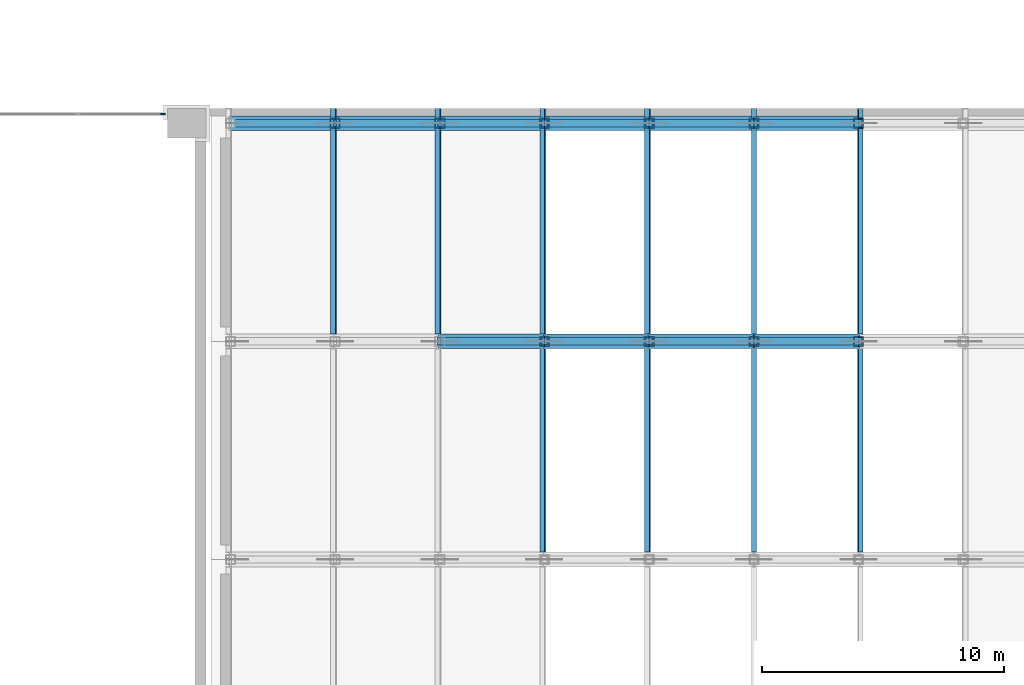
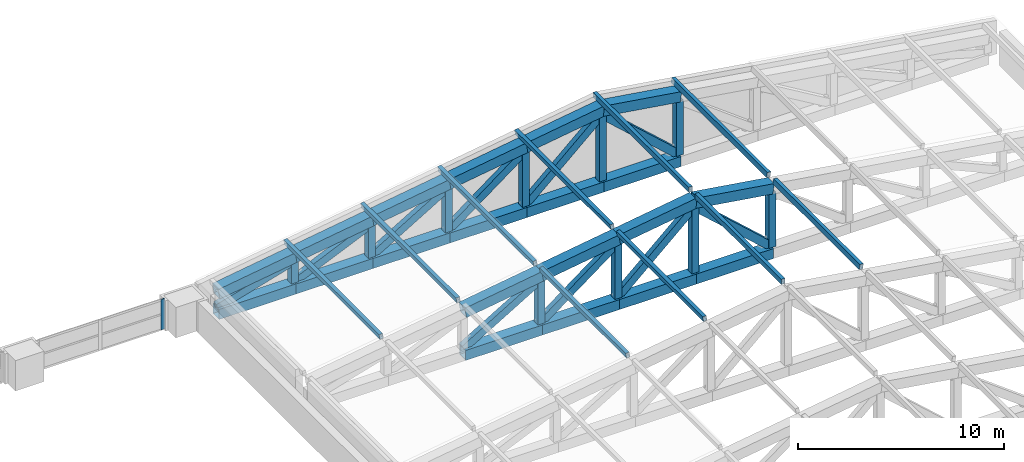
# One storey, part 12 of 32: 51 members, 1 element without a shape of its own.
"""IFC4 building model written with IfcOpenShell, lengths in metres."""

from ifc_helpers import new_model, si_unit, direction, frame, origin, origin_2d, place, context, subcontext, project, spatial, rectangle, hollow_rectangle, extrude, material, material_profile, profile_set, type_object, element, aggregate, save


model = new_model("IFC4")

# Units and contexts
model_context = context("Model", 3, precision=1e-05, world=origin(), true_north=direction((0.0, 1.0)))
body_context = subcontext(model_context, "Body", "Model", "MODEL_VIEW")
ifc_project = project(units=[si_unit("LENGTHUNIT", "METRE"), si_unit("AREAUNIT", "SQUARE_METRE"), si_unit("VOLUMEUNIT", "CUBIC_METRE"), si_unit("PLANEANGLEUNIT", "RADIAN"), si_unit("MASSUNIT", "GRAM", prefix="KILO")], contexts=[model_context])

# Site, building, storey
site_placement = place(None, origin())
site = spatial("IfcSite", under=ifc_project, at=site_placement, CompositionType="ELEMENT")
building_placement = place(site_placement, origin())
building = spatial("IfcBuilding", under=site, at=building_placement, Name="Aravalli Gate Trade Fair Centre", CompositionType="ELEMENT")
storey_placement = place(building_placement, frame((0.0, 0.0, 23.39990234375)))
storey = spatial("IfcBuildingStorey", under=building, at=storey_placement, Name="ROOF LEVEL 1", CompositionType="ELEMENT", Elevation=23.39990234375)

# Members
ifc_material_1 = material(Name="Steel E350", Category="steel")
ifc_material_profile_1 = material_profile(ifc_material_1, hollow_rectangle(XDim=0.199951171875, YDim=0.300048828125, WallThickness=0.011962890625, at=origin_2d()), Name="RHS 300x200x12")
ifc_profile_set_1 = profile_set([ifc_material_profile_1], Name="Steel E350")
member_type_1 = type_object("IfcMemberType", Name="Congress roof purlin RHS 300x200x12", PredefinedType="PURLIN", material=ifc_profile_set_1)
for number, where, z_axis, x_axis, name in (
    (1, (111.052001953125, 100.300048828125, 2.60498046875), (0.0, 1.0, 0.0), (-0.988529762953, 0.0, -0.151026182356), "Roof purlin line 2 bay 5"),
    (2, (115.3720703125, 100.300048828125, 3.264892578125), (0.0, 1.0, 0.0), (-0.988529762953, 0.0, -0.151026182356), "Roof purlin line 3 bay 5"),
):
    element("IfcMember", number, at=place(storey_placement, frame(where, z_axis=z_axis, x_axis=x_axis)), inside=storey, type_object=member_type_1, Name=name, PredefinedType="PURLIN", context=body_context, shape_type="SweptSolid", body=[
        extrude(hollow_rectangle(XDim=0.199951171875, YDim=0.300048828125, WallThickness=0.011962890625, at=origin_2d()), origin(), (0.0, 0.0, 1.0), 9.300048828125),
    ])
member_1_placement = place(storey_placement, frame((119.69189453125, 91.300048828125, 3.9248046875), z_axis=(0.0, 1.0, 0.0), x_axis=(-0.988529762953, 0.0, -0.151026182356)))
element("IfcMember", 3, at=member_1_placement, inside=storey, type_object=member_type_1, Name="Roof purlin line 4 bay 4", PredefinedType="PURLIN", context=body_context, shape_type="SweptSolid", body=[
    extrude(hollow_rectangle(XDim=0.199951171875, YDim=0.300048828125, WallThickness=0.011962890625, at=origin_2d()), origin(), (0.0, 0.0, 1.0), 8.39990234375),
])
member_2_placement = place(storey_placement, frame((119.69189453125, 100.300048828125, 3.9248046875), z_axis=(0.0, 1.0, 0.0), x_axis=(-0.988529762953, 0.0, -0.151026182356)))
element("IfcMember", 4, at=member_2_placement, inside=storey, type_object=member_type_1, Name="Roof purlin line 4 bay 5", PredefinedType="PURLIN", context=body_context, shape_type="SweptSolid", body=[
    extrude(hollow_rectangle(XDim=0.199951171875, YDim=0.300048828125, WallThickness=0.011962890625, at=origin_2d()), origin(), (0.0, 0.0, 1.0), 9.300048828125),
])
member_3_placement = place(storey_placement, frame((124.011962890625, 91.300048828125, 4.5849609375), z_axis=(0.0, 1.0, 0.0), x_axis=(-0.988529762953, 0.0, -0.151026182356)))
element("IfcMember", 5, at=member_3_placement, inside=storey, type_object=member_type_1, Name="Roof purlin line 5 bay 4", PredefinedType="PURLIN", context=body_context, shape_type="SweptSolid", body=[
    extrude(hollow_rectangle(XDim=0.199951171875, YDim=0.300048828125, WallThickness=0.011962890625, at=origin_2d()), origin(), (0.0, 0.0, 1.0), 8.39990234375),
])
member_4_placement = place(storey_placement, frame((124.011962890625, 100.300048828125, 4.5849609375), z_axis=(0.0, 1.0, 0.0), x_axis=(-0.988529762953, 0.0, -0.151026182356)))
element("IfcMember", 6, at=member_4_placement, inside=storey, type_object=member_type_1, Name="Roof purlin line 5 bay 5", PredefinedType="PURLIN", context=body_context, shape_type="SweptSolid", body=[
    extrude(hollow_rectangle(XDim=0.199951171875, YDim=0.300048828125, WallThickness=0.011962890625, at=origin_2d()), origin(), (0.0, 0.0, 1.0), 9.300048828125),
])
member_5_placement = place(storey_placement, frame((128.39990234375, 91.300048828125, 5.25634765625), z_axis=(0.0, 1.0, 0.0), x_axis=(-1.0, 0.0, 0.0)))
element("IfcMember", 7, at=member_5_placement, inside=storey, type_object=member_type_1, Name="Roof purlin line 6 bay 4", PredefinedType="PURLIN", context=body_context, shape_type="SweptSolid", body=[
    extrude(hollow_rectangle(XDim=0.199951171875, YDim=0.300048828125, WallThickness=0.011962890625, at=origin_2d()), origin(), (0.0, 0.0, 1.0), 8.39990234375),
])
member_6_placement = place(storey_placement, frame((128.39990234375, 100.300048828125, 5.25634765625), z_axis=(0.0, 1.0, 0.0), x_axis=(-1.0, 0.0, 0.0)))
element("IfcMember", 8, at=member_6_placement, inside=storey, type_object=member_type_1, Name="Roof purlin line 6 bay 5", PredefinedType="PURLIN", context=body_context, shape_type="SweptSolid", body=[
    extrude(hollow_rectangle(XDim=0.199951171875, YDim=0.300048828125, WallThickness=0.011962890625, at=origin_2d()), origin(), (0.0, 0.0, 1.0), 9.300048828125),
])
member_7_placement = place(storey_placement, frame((132.7880859375, 91.300048828125, 4.5849609375), z_axis=(0.0, 1.0, 0.0), x_axis=(-0.988529762953, 0.0, 0.151026182356)))
element("IfcMember", 9, at=member_7_placement, inside=storey, type_object=member_type_1, Name="Roof purlin line 7 bay 4", PredefinedType="PURLIN", context=body_context, shape_type="SweptSolid", body=[
    extrude(hollow_rectangle(XDim=0.199951171875, YDim=0.300048828125, WallThickness=0.011962890625, at=origin_2d()), origin(), (0.0, 0.0, 1.0), 8.39990234375),
])
member_8_placement = place(storey_placement, frame((132.7880859375, 100.300048828125, 4.5849609375), z_axis=(0.0, 1.0, 0.0), x_axis=(-0.988529762953, 0.0, 0.151026182356)))
element("IfcMember", 10, at=member_8_placement, inside=storey, type_object=member_type_1, Name="Roof purlin line 7 bay 5", PredefinedType="PURLIN", context=body_context, shape_type="SweptSolid", body=[
    extrude(hollow_rectangle(XDim=0.199951171875, YDim=0.300048828125, WallThickness=0.011962890625, at=origin_2d()), origin(), (0.0, 0.0, 1.0), 9.300048828125),
])
ifc_material_profile_2 = material_profile(ifc_material_1, hollow_rectangle(XDim=0.60009765625, YDim=0.60009765625, WallThickness=0.02490234375, at=origin_2d()), Name="BOX 600x600x25")
ifc_profile_set_2 = profile_set([ifc_material_profile_2], Name="Steel E350")
member_type_2 = type_object("IfcMemberType", Name="Congress roof truss chord BOX 600x600x25", PredefinedType="CHORD", material=ifc_profile_set_2)
member_9_placement = place(storey_placement, frame((115.43994140625, 100.0, 0.300048828125), z_axis=(1.0, 0.0, 0.0), x_axis=(0.0, 1.0, 0.0)))
element("IfcMember", 11, at=member_9_placement, inside=storey, type_object=member_type_2, Name="Roof truss 100 bottom chord 3", PredefinedType="CHORD", context=body_context, shape_type="SweptSolid", body=[
    extrude(hollow_rectangle(XDim=0.60009765625, YDim=0.60009765625, WallThickness=0.02490234375, at=origin_2d()), origin(), (0.0, 0.0, 1.0), 4.320068359375),
])
member_10_placement = place(storey_placement, frame((115.43994140625, 100.0, 2.820068359375), z_axis=(0.988533241706, 0.0, 0.1510034107), x_axis=(0.0, 1.0, 0.0)))
element("IfcMember", 12, at=member_10_placement, inside=storey, type_object=member_type_2, Name="Roof truss 100 top chord 3", PredefinedType="CHORD", context=body_context, shape_type="SweptSolid", body=[
    extrude(hollow_rectangle(XDim=0.60009765625, YDim=0.60009765625, WallThickness=0.02490234375, at=origin_2d()), origin(), (0.0, 0.0, 1.0), 4.3701171875),
])
member_11_placement = place(storey_placement, frame((119.760009765625, 100.0, 0.300048828125), z_axis=(1.0, 0.0, 0.0), x_axis=(0.0, 1.0, 0.0)))
element("IfcMember", 13, at=member_11_placement, inside=storey, type_object=member_type_2, Name="Roof truss 100 bottom chord 4", PredefinedType="CHORD", context=body_context, shape_type="SweptSolid", body=[
    extrude(hollow_rectangle(XDim=0.60009765625, YDim=0.60009765625, WallThickness=0.02490234375, at=origin_2d()), origin(), (0.0, 0.0, 1.0), 4.320068359375),
])
member_12_placement = place(storey_placement, frame((119.760009765625, 100.0, 3.47998046875), z_axis=(0.988524901177, 0.0, 0.151058001288), x_axis=(0.0, 1.0, 0.0)))
element("IfcMember", 14, at=member_12_placement, inside=storey, type_object=member_type_2, Name="Roof truss 100 top chord 4", PredefinedType="CHORD", context=body_context, shape_type="SweptSolid", body=[
    extrude(hollow_rectangle(XDim=0.60009765625, YDim=0.60009765625, WallThickness=0.02490234375, at=origin_2d()), origin(), (0.0, 0.0, 1.0), 4.3701171875),
])
member_13_placement = place(storey_placement, frame((124.080078125, 100.0, 0.300048828125), z_axis=(1.0, 0.0, 0.0), x_axis=(0.0, 1.0, 0.0)))
element("IfcMember", 15, at=member_13_placement, inside=storey, type_object=member_type_2, Name="Roof truss 100 bottom chord 5", PredefinedType="CHORD", context=body_context, shape_type="SweptSolid", body=[
    extrude(hollow_rectangle(XDim=0.60009765625, YDim=0.60009765625, WallThickness=0.02490234375, at=origin_2d()), origin(), (0.0, 0.0, 1.0), 4.31982421875),
])
member_14_placement = place(storey_placement, frame((124.080078125, 100.0, 4.14013671875), z_axis=(0.988531967762, 0.0, 0.151011750246), x_axis=(0.0, 1.0, 0.0)))
element("IfcMember", 16, at=member_14_placement, inside=storey, type_object=member_type_2, Name="Roof truss 100 top chord 5", PredefinedType="CHORD", context=body_context, shape_type="SweptSolid", body=[
    extrude(hollow_rectangle(XDim=0.60009765625, YDim=0.60009765625, WallThickness=0.02490234375, at=origin_2d()), origin(), (0.0, 0.0, 1.0), 4.369873046875),
])
member_15_placement = place(storey_placement, frame((128.39990234375, 100.0, 0.300048828125), z_axis=(1.0, 0.0, 0.0), x_axis=(0.0, 1.0, 0.0)))
element("IfcMember", 17, at=member_15_placement, inside=storey, type_object=member_type_2, Name="Roof truss 100 bottom chord 6", PredefinedType="CHORD", context=body_context, shape_type="SweptSolid", body=[
    extrude(hollow_rectangle(XDim=0.60009765625, YDim=0.60009765625, WallThickness=0.02490234375, at=origin_2d()), origin(), (0.0, 0.0, 1.0), 4.320068359375),
])
member_16_placement = place(storey_placement, frame((128.39990234375, 100.0, 4.800048828125), z_axis=(0.988533241706, 0.0, -0.1510034107), x_axis=(0.0, 1.0, 0.0)))
element("IfcMember", 18, at=member_16_placement, inside=storey, type_object=member_type_2, Name="Roof truss 100 top chord 6", PredefinedType="CHORD", context=body_context, shape_type="SweptSolid", body=[
    extrude(hollow_rectangle(XDim=0.60009765625, YDim=0.60009765625, WallThickness=0.02490234375, at=origin_2d()), origin(), (0.0, 0.0, 1.0), 4.3701171875),
])
member_17_placement = place(storey_placement, frame((106.800048828125, 109.0, 0.300048828125), z_axis=(1.0, 0.0, 0.0), x_axis=(0.0, 1.0, 0.0)))
element("IfcMember", 19, at=member_17_placement, inside=storey, type_object=member_type_2, Name="Roof truss 109 bottom chord 1", PredefinedType="CHORD", context=body_context, shape_type="SweptSolid", body=[
    extrude(hollow_rectangle(XDim=0.60009765625, YDim=0.60009765625, WallThickness=0.02490234375, at=origin_2d()), origin(), (0.0, 0.0, 1.0), 4.320068359375),
])
member_18_placement = place(storey_placement, frame((106.800048828125, 109.0, 1.5), z_axis=(0.988524901177, 0.0, 0.151058001288), x_axis=(0.0, 1.0, 0.0)))
element("IfcMember", 20, at=member_18_placement, inside=storey, type_object=member_type_2, Name="Roof truss 109 top chord 1", PredefinedType="CHORD", context=body_context, shape_type="SweptSolid", body=[
    extrude(hollow_rectangle(XDim=0.60009765625, YDim=0.60009765625, WallThickness=0.02490234375, at=origin_2d()), origin(), (0.0, 0.0, 1.0), 4.3701171875),
])
member_19_placement = place(storey_placement, frame((111.1201171875, 109.0, 0.300048828125), z_axis=(1.0, 0.0, 0.0), x_axis=(0.0, 1.0, 0.0)))
element("IfcMember", 21, at=member_19_placement, inside=storey, type_object=member_type_2, Name="Roof truss 109 bottom chord 2", PredefinedType="CHORD", context=body_context, shape_type="SweptSolid", body=[
    extrude(hollow_rectangle(XDim=0.60009765625, YDim=0.60009765625, WallThickness=0.02490234375, at=origin_2d()), origin(), (0.0, 0.0, 1.0), 4.31982421875),
])
member_20_placement = place(storey_placement, frame((111.1201171875, 109.0, 2.16015625), z_axis=(0.988531967762, 0.0, 0.151011750246), x_axis=(0.0, 1.0, 0.0)))
element("IfcMember", 22, at=member_20_placement, inside=storey, type_object=member_type_2, Name="Roof truss 109 top chord 2", PredefinedType="CHORD", context=body_context, shape_type="SweptSolid", body=[
    extrude(hollow_rectangle(XDim=0.60009765625, YDim=0.60009765625, WallThickness=0.02490234375, at=origin_2d()), origin(), (0.0, 0.0, 1.0), 4.369873046875),
])
member_21_placement = place(storey_placement, frame((115.43994140625, 109.0, 0.300048828125), z_axis=(1.0, 0.0, 0.0), x_axis=(0.0, 1.0, 0.0)))
element("IfcMember", 23, at=member_21_placement, inside=storey, type_object=member_type_2, Name="Roof truss 109 bottom chord 3", PredefinedType="CHORD", context=body_context, shape_type="SweptSolid", body=[
    extrude(hollow_rectangle(XDim=0.60009765625, YDim=0.60009765625, WallThickness=0.02490234375, at=origin_2d()), origin(), (0.0, 0.0, 1.0), 4.320068359375),
])
member_22_placement = place(storey_placement, frame((115.43994140625, 109.0, 2.820068359375), z_axis=(0.988533241706, 0.0, 0.1510034107), x_axis=(0.0, 1.0, 0.0)))
element("IfcMember", 24, at=member_22_placement, inside=storey, type_object=member_type_2, Name="Roof truss 109 top chord 3", PredefinedType="CHORD", context=body_context, shape_type="SweptSolid", body=[
    extrude(hollow_rectangle(XDim=0.60009765625, YDim=0.60009765625, WallThickness=0.02490234375, at=origin_2d()), origin(), (0.0, 0.0, 1.0), 4.3701171875),
])
member_23_placement = place(storey_placement, frame((119.760009765625, 109.0, 0.300048828125), z_axis=(1.0, 0.0, 0.0), x_axis=(0.0, 1.0, 0.0)))
element("IfcMember", 25, at=member_23_placement, inside=storey, type_object=member_type_2, Name="Roof truss 109 bottom chord 4", PredefinedType="CHORD", context=body_context, shape_type="SweptSolid", body=[
    extrude(hollow_rectangle(XDim=0.60009765625, YDim=0.60009765625, WallThickness=0.02490234375, at=origin_2d()), origin(), (0.0, 0.0, 1.0), 4.320068359375),
])
member_24_placement = place(storey_placement, frame((119.760009765625, 109.0, 3.47998046875), z_axis=(0.988524901177, 0.0, 0.151058001288), x_axis=(0.0, 1.0, 0.0)))
element("IfcMember", 26, at=member_24_placement, inside=storey, type_object=member_type_2, Name="Roof truss 109 top chord 4", PredefinedType="CHORD", context=body_context, shape_type="SweptSolid", body=[
    extrude(hollow_rectangle(XDim=0.60009765625, YDim=0.60009765625, WallThickness=0.02490234375, at=origin_2d()), origin(), (0.0, 0.0, 1.0), 4.3701171875),
])
member_25_placement = place(storey_placement, frame((124.080078125, 109.0, 0.300048828125), z_axis=(1.0, 0.0, 0.0), x_axis=(0.0, 1.0, 0.0)))
element("IfcMember", 27, at=member_25_placement, inside=storey, type_object=member_type_2, Name="Roof truss 109 bottom chord 5", PredefinedType="CHORD", context=body_context, shape_type="SweptSolid", body=[
    extrude(hollow_rectangle(XDim=0.60009765625, YDim=0.60009765625, WallThickness=0.02490234375, at=origin_2d()), origin(), (0.0, 0.0, 1.0), 4.31982421875),
])
member_26_placement = place(storey_placement, frame((124.080078125, 109.0, 4.14013671875), z_axis=(0.988531967762, 0.0, 0.151011750246), x_axis=(0.0, 1.0, 0.0)))
element("IfcMember", 28, at=member_26_placement, inside=storey, type_object=member_type_2, Name="Roof truss 109 top chord 5", PredefinedType="CHORD", context=body_context, shape_type="SweptSolid", body=[
    extrude(hollow_rectangle(XDim=0.60009765625, YDim=0.60009765625, WallThickness=0.02490234375, at=origin_2d()), origin(), (0.0, 0.0, 1.0), 4.369873046875),
])
member_27_placement = place(storey_placement, frame((128.39990234375, 109.0, 0.300048828125), z_axis=(1.0, 0.0, 0.0), x_axis=(0.0, 1.0, 0.0)))
element("IfcMember", 29, at=member_27_placement, inside=storey, type_object=member_type_2, Name="Roof truss 109 bottom chord 6", PredefinedType="CHORD", context=body_context, shape_type="SweptSolid", body=[
    extrude(hollow_rectangle(XDim=0.60009765625, YDim=0.60009765625, WallThickness=0.02490234375, at=origin_2d()), origin(), (0.0, 0.0, 1.0), 4.320068359375),
])
member_28_placement = place(storey_placement, frame((128.39990234375, 109.0, 4.800048828125), z_axis=(0.988533241706, 0.0, -0.1510034107), x_axis=(0.0, 1.0, 0.0)))
element("IfcMember", 30, at=member_28_placement, inside=storey, type_object=member_type_2, Name="Roof truss 109 top chord 6", PredefinedType="CHORD", context=body_context, shape_type="SweptSolid", body=[
    extrude(hollow_rectangle(XDim=0.60009765625, YDim=0.60009765625, WallThickness=0.02490234375, at=origin_2d()), origin(), (0.0, 0.0, 1.0), 4.3701171875),
])
ifc_material_profile_3 = material_profile(ifc_material_1, hollow_rectangle(XDim=0.300048828125, YDim=0.449951171875, WallThickness=0.02001953125, at=origin_2d()), Name="RHS 450x300x20")
ifc_profile_set_3 = profile_set([ifc_material_profile_3], Name="Steel E350")
member_type_3 = type_object("IfcMemberType", Name="Congress roof truss diagonal RHS 450x300x20", PredefinedType="BRACE", material=ifc_profile_set_3)
member_29_placement = place(storey_placement, frame((115.43994140625, 100.0, 0.60009765625), z_axis=(0.858860337137, 0.0, 0.512209841074), x_axis=(0.0, 1.0, 0.0)))
element("IfcMember", 31, at=member_29_placement, inside=storey, type_object=member_type_3, Name="Roof truss 100 diagonal 3", PredefinedType="BRACE", context=body_context, shape_type="SweptSolid", body=[
    extrude(hollow_rectangle(XDim=0.300048828125, YDim=0.449951171875, WallThickness=0.02001953125, at=origin_2d()), origin(), (0.0, 0.0, 1.0), 5.030029296875),
])
member_30_placement = place(storey_placement, frame((119.760009765625, 100.0, 0.60009765625), z_axis=(0.800309253103, 0.0, 0.599587440994), x_axis=(0.0, 1.0, 0.0)))
element("IfcMember", 32, at=member_30_placement, inside=storey, type_object=member_type_3, Name="Roof truss 100 diagonal 4", PredefinedType="BRACE", context=body_context, shape_type="SweptSolid", body=[
    extrude(hollow_rectangle(XDim=0.300048828125, YDim=0.449951171875, WallThickness=0.02001953125, at=origin_2d()), origin(), (0.0, 0.0, 1.0), 5.39794921875),
])
for number, where, z_axis, x_axis, name in (
    (33, (124.080078125, 100.0, 0.60009765625), (0.74255499019, 0.0, 0.669785104749), (0.0, 1.0, 0.0), "Roof truss 100 diagonal 5"),
    (34, (132.719970703125, 100.0, 0.60009765625), (-0.742573815983, 0.0, 0.669764233008), (0.0, -1.0, 0.0), "Roof truss 100 diagonal 6"),
):
    element("IfcMember", number, at=place(storey_placement, frame(where, z_axis=z_axis, x_axis=x_axis)), inside=storey, type_object=member_type_3, Name=name, PredefinedType="BRACE", context=body_context, shape_type="SweptSolid", body=[
        extrude(hollow_rectangle(XDim=0.300048828125, YDim=0.449951171875, WallThickness=0.02001953125, at=origin_2d()), origin(), (0.0, 0.0, 1.0), 5.817626953125),
    ])
member_31_placement = place(storey_placement, frame((106.800048828125, 109.0, 0.60009765625), z_axis=(0.960204557867, 0.0, 0.279297703269), x_axis=(0.0, 1.0, 0.0)))
element("IfcMember", 35, at=member_31_placement, inside=storey, type_object=member_type_3, Name="Roof truss 109 diagonal 1", PredefinedType="BRACE", context=body_context, shape_type="SweptSolid", body=[
    extrude(hollow_rectangle(XDim=0.300048828125, YDim=0.449951171875, WallThickness=0.02001953125, at=origin_2d()), origin(), (0.0, 0.0, 1.0), 4.4990234375),
])
member_32_placement = place(storey_placement, frame((111.1201171875, 109.0, 0.60009765625), z_axis=(0.914079770282, 0.0, 0.405534429564), x_axis=(0.0, 1.0, 0.0)))
element("IfcMember", 36, at=member_32_placement, inside=storey, type_object=member_type_3, Name="Roof truss 109 diagonal 2", PredefinedType="BRACE", context=body_context, shape_type="SweptSolid", body=[
    extrude(hollow_rectangle(XDim=0.300048828125, YDim=0.449951171875, WallThickness=0.02001953125, at=origin_2d()), origin(), (0.0, 0.0, 1.0), 4.725830078125),
])
member_33_placement = place(storey_placement, frame((115.43994140625, 109.0, 0.60009765625), z_axis=(0.858860337137, 0.0, 0.512209841074), x_axis=(0.0, 1.0, 0.0)))
element("IfcMember", 37, at=member_33_placement, inside=storey, type_object=member_type_3, Name="Roof truss 109 diagonal 3", PredefinedType="BRACE", context=body_context, shape_type="SweptSolid", body=[
    extrude(hollow_rectangle(XDim=0.300048828125, YDim=0.449951171875, WallThickness=0.02001953125, at=origin_2d()), origin(), (0.0, 0.0, 1.0), 5.030029296875),
])
member_34_placement = place(storey_placement, frame((119.760009765625, 109.0, 0.60009765625), z_axis=(0.800309253103, 0.0, 0.599587440994), x_axis=(0.0, 1.0, 0.0)))
element("IfcMember", 38, at=member_34_placement, inside=storey, type_object=member_type_3, Name="Roof truss 109 diagonal 4", PredefinedType="BRACE", context=body_context, shape_type="SweptSolid", body=[
    extrude(hollow_rectangle(XDim=0.300048828125, YDim=0.449951171875, WallThickness=0.02001953125, at=origin_2d()), origin(), (0.0, 0.0, 1.0), 5.39794921875),
])
for number, where, z_axis, x_axis, name in (
    (39, (124.080078125, 109.0, 0.60009765625), (0.74255499019, 0.0, 0.669785104749), (0.0, 1.0, 0.0), "Roof truss 109 diagonal 5"),
    (40, (132.719970703125, 109.0, 0.60009765625), (-0.742573815983, 0.0, 0.669764233008), (0.0, -1.0, 0.0), "Roof truss 109 diagonal 6"),
):
    element("IfcMember", number, at=place(storey_placement, frame(where, z_axis=z_axis, x_axis=x_axis)), inside=storey, type_object=member_type_3, Name=name, PredefinedType="BRACE", context=body_context, shape_type="SweptSolid", body=[
        extrude(hollow_rectangle(XDim=0.300048828125, YDim=0.449951171875, WallThickness=0.02001953125, at=origin_2d()), origin(), (0.0, 0.0, 1.0), 5.817626953125),
    ])
ifc_material_profile_4 = material_profile(ifc_material_1, hollow_rectangle(XDim=0.39990234375, YDim=0.39990234375, WallThickness=0.02001953125, at=origin_2d()), Name="BOX 400x400x20")
ifc_profile_set_4 = profile_set([ifc_material_profile_4], Name="Steel E350")
member_type_4 = type_object("IfcMemberType", Name="Congress roof truss post BOX 400x400x20", PredefinedType="POST", material=ifc_profile_set_4)
member_35_placement = place(storey_placement, frame((119.760009765625, 100.0, 0.60009765625), z_axis=(0.0, 0.0, 1.0), x_axis=(1.0, 0.0, 0.0)))
element("IfcMember", 41, at=member_35_placement, inside=storey, type_object=member_type_4, Name="Roof truss 100 post 3", PredefinedType="POST", context=body_context, shape_type="SweptSolid", body=[
    extrude(hollow_rectangle(XDim=0.39990234375, YDim=0.39990234375, WallThickness=0.02001953125, at=origin_2d()), origin(), (0.0, 0.0, 1.0), 2.576416015625),
])
member_36_placement = place(storey_placement, frame((124.080078125, 100.0, 0.60009765625), z_axis=(0.0, 0.0, 1.0), x_axis=(1.0, 0.0, 0.0)))
element("IfcMember", 42, at=member_36_placement, inside=storey, type_object=member_type_4, Name="Roof truss 100 post 4", PredefinedType="POST", context=body_context, shape_type="SweptSolid", body=[
    extrude(hollow_rectangle(XDim=0.39990234375, YDim=0.39990234375, WallThickness=0.02001953125, at=origin_2d()), origin(), (0.0, 0.0, 1.0), 3.236572265625),
])
member_37_placement = place(storey_placement, frame((128.39990234375, 100.0, 0.60009765625), z_axis=(0.0, 0.0, 1.0), x_axis=(1.0, 0.0, 0.0)))
element("IfcMember", 43, at=member_37_placement, inside=storey, type_object=member_type_4, Name="Roof truss 100 post 5", PredefinedType="POST", context=body_context, shape_type="SweptSolid", body=[
    extrude(hollow_rectangle(XDim=0.39990234375, YDim=0.39990234375, WallThickness=0.02001953125, at=origin_2d()), origin(), (0.0, 0.0, 1.0), 3.896484375),
])
member_38_placement = place(storey_placement, frame((132.719970703125, 100.0, 0.60009765625), z_axis=(0.0, 0.0, 1.0), x_axis=(1.0, 0.0, 0.0)))
element("IfcMember", 44, at=member_38_placement, inside=storey, type_object=member_type_4, Name="Roof truss 100 post 6", PredefinedType="POST", context=body_context, shape_type="SweptSolid", body=[
    extrude(hollow_rectangle(XDim=0.39990234375, YDim=0.39990234375, WallThickness=0.02001953125, at=origin_2d()), origin(), (0.0, 0.0, 1.0), 3.236572265625),
])
member_39_placement = place(storey_placement, frame((111.1201171875, 109.0, 0.60009765625), z_axis=(0.0, 0.0, 1.0), x_axis=(1.0, 0.0, 0.0)))
element("IfcMember", 45, at=member_39_placement, inside=storey, type_object=member_type_4, Name="Roof truss 109 post 1", PredefinedType="POST", context=body_context, shape_type="SweptSolid", body=[
    extrude(hollow_rectangle(XDim=0.39990234375, YDim=0.39990234375, WallThickness=0.02001953125, at=origin_2d()), origin(), (0.0, 0.0, 1.0), 1.256591796875),
])
member_40_placement = place(storey_placement, frame((115.43994140625, 109.0, 0.60009765625), z_axis=(0.0, 0.0, 1.0), x_axis=(1.0, 0.0, 0.0)))
element("IfcMember", 46, at=member_40_placement, inside=storey, type_object=member_type_4, Name="Roof truss 109 post 2", PredefinedType="POST", context=body_context, shape_type="SweptSolid", body=[
    extrude(hollow_rectangle(XDim=0.39990234375, YDim=0.39990234375, WallThickness=0.02001953125, at=origin_2d()), origin(), (0.0, 0.0, 1.0), 1.91650390625),
])
member_41_placement = place(storey_placement, frame((119.760009765625, 109.0, 0.60009765625), z_axis=(0.0, 0.0, 1.0), x_axis=(1.0, 0.0, 0.0)))
element("IfcMember", 47, at=member_41_placement, inside=storey, type_object=member_type_4, Name="Roof truss 109 post 3", PredefinedType="POST", context=body_context, shape_type="SweptSolid", body=[
    extrude(hollow_rectangle(XDim=0.39990234375, YDim=0.39990234375, WallThickness=0.02001953125, at=origin_2d()), origin(), (0.0, 0.0, 1.0), 2.576416015625),
])
member_42_placement = place(storey_placement, frame((124.080078125, 109.0, 0.60009765625), z_axis=(0.0, 0.0, 1.0), x_axis=(1.0, 0.0, 0.0)))
element("IfcMember", 48, at=member_42_placement, inside=storey, type_object=member_type_4, Name="Roof truss 109 post 4", PredefinedType="POST", context=body_context, shape_type="SweptSolid", body=[
    extrude(hollow_rectangle(XDim=0.39990234375, YDim=0.39990234375, WallThickness=0.02001953125, at=origin_2d()), origin(), (0.0, 0.0, 1.0), 3.236572265625),
])
member_43_placement = place(storey_placement, frame((128.39990234375, 109.0, 0.60009765625), z_axis=(0.0, 0.0, 1.0), x_axis=(1.0, 0.0, 0.0)))
element("IfcMember", 49, at=member_43_placement, inside=storey, type_object=member_type_4, Name="Roof truss 109 post 5", PredefinedType="POST", context=body_context, shape_type="SweptSolid", body=[
    extrude(hollow_rectangle(XDim=0.39990234375, YDim=0.39990234375, WallThickness=0.02001953125, at=origin_2d()), origin(), (0.0, 0.0, 1.0), 3.896484375),
])
member_44_placement = place(storey_placement, frame((132.719970703125, 109.0, 0.60009765625), z_axis=(0.0, 0.0, 1.0), x_axis=(1.0, 0.0, 0.0)))
element("IfcMember", 50, at=member_44_placement, inside=storey, type_object=member_type_4, Name="Roof truss 109 post 6", PredefinedType="POST", context=body_context, shape_type="SweptSolid", body=[
    extrude(hollow_rectangle(XDim=0.39990234375, YDim=0.39990234375, WallThickness=0.02001953125, at=origin_2d()), origin(), (0.0, 0.0, 1.0), 3.236572265625),
])

# Curtain wall, member
ifc_material_2 = material(Name="Aluminium, glass and louvre", Category="aluminium")
curtain_wall_type = type_object("IfcCurtainWallType", Name="Hall crown curtain wall 3000 module", PredefinedType="NOTDEFINED", material=ifc_material_2)
curtain_wall_placement = place(storey_placement, origin())
curtain_wall = element("IfcCurtainWall", 51, at=curtain_wall_placement, inside=storey, type_object=curtain_wall_type, Name="Hall north crown curtain wall bay 11 ROOF LEVEL 1", PredefinedType="NOTDEFINED")
ifc_material_3 = material(Name="Aluminium", Category="aluminium")
ifc_material_profile_5 = material_profile(ifc_material_3, rectangle(XDim=0.06005859375, YDim=0.199951171875, at=origin_2d()), Name="Hall curtain wall mullion 60 x 200")
ifc_profile_set_5 = profile_set([ifc_material_profile_5], Name="Aluminium")
member_type_5 = type_object("IfcMemberType", Name="Hall curtain wall mullion 60 x 200", PredefinedType="MULLION", material=ifc_profile_set_5)
member_45_placement = place(storey_placement, frame((104.02001953125, 109.375, 0.0), z_axis=(0.0, 0.0, 1.0), x_axis=(0.0, 1.0, 0.0)))
member_45 = element("IfcMember", 52, at=member_45_placement, type_object=member_type_5, Name="HCW1 mullion 3", PredefinedType="MULLION", context=body_context, shape_type="SweptSolid", body=[
    extrude(rectangle(XDim=0.06005859375, YDim=0.199951171875, at=origin_2d()), origin(), (0.0, 0.0, 1.0), 1.800048828125),
])
aggregate(curtain_wall, [member_45])

save(model, "model.ifc")
